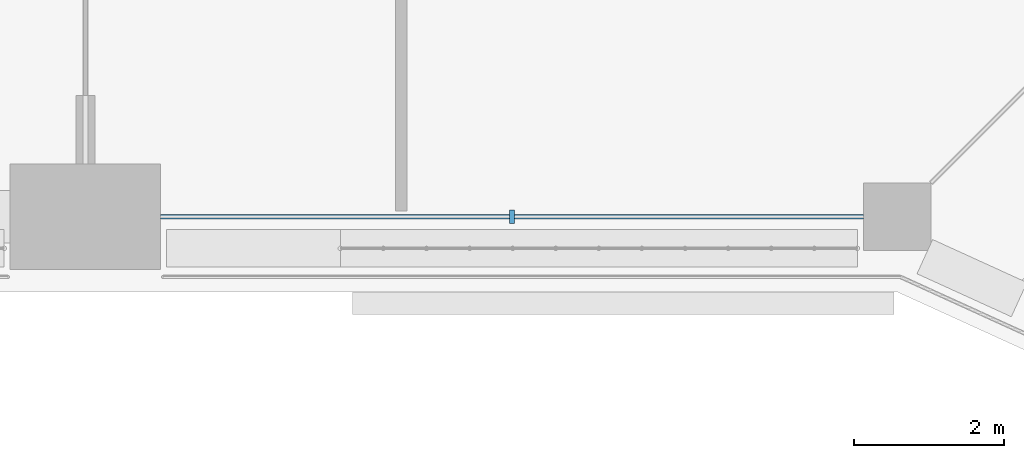
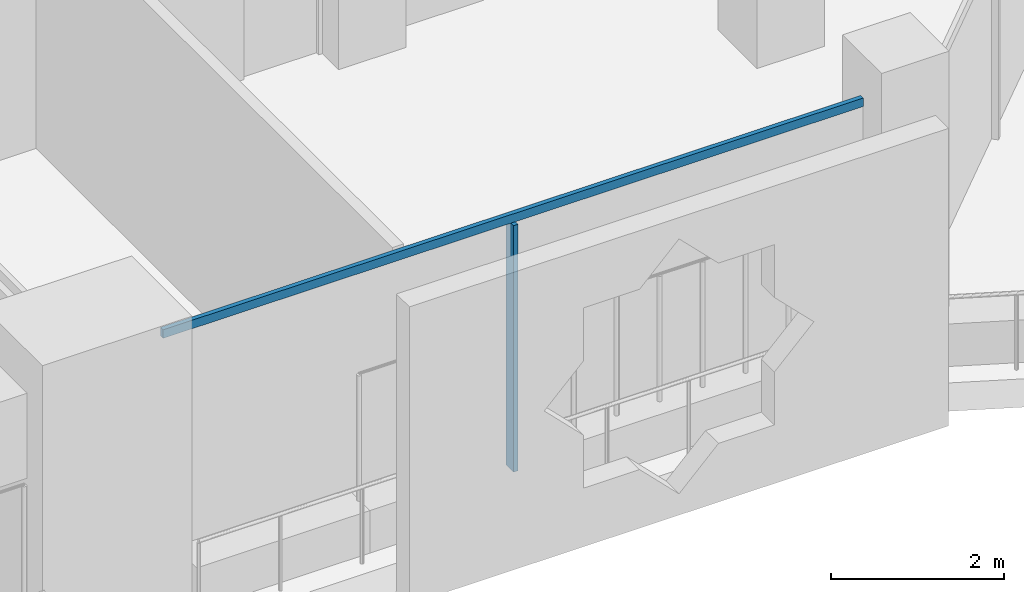
# One storey, part 5 of 24: 2 members, 1 element without a shape of its own.
"""IFC4 building model written with IfcOpenShell, lengths in metres."""

from ifc_helpers import new_model, si_unit, direction, frame, origin, origin_2d, place, context, subcontext, project, spatial, rectangle, extrude, material, layer, layer_set, material_profile, profile_set, type_object, element, aggregate, save


model = new_model("IFC4")

# Units and contexts
model_context = context("Model", 3, precision=1e-05, world=origin(), true_north=direction((0.0, 1.0)))
body_context = subcontext(model_context, "Body", "Model", "MODEL_VIEW")
ifc_project = project(units=[si_unit("LENGTHUNIT", "METRE"), si_unit("AREAUNIT", "SQUARE_METRE"), si_unit("VOLUMEUNIT", "CUBIC_METRE"), si_unit("PLANEANGLEUNIT", "RADIAN"), si_unit("MASSUNIT", "GRAM", prefix="KILO")], contexts=[model_context])

# Site, building, storey
site_placement = place(None, origin())
site = spatial("IfcSite", under=ifc_project, at=site_placement, CompositionType="ELEMENT")
building_placement = place(site_placement, origin())
building = spatial("IfcBuilding", under=site, at=building_placement, Name="Kawkab Arch Medical Tower", CompositionType="ELEMENT")
storey_placement = place(building_placement, frame((0.0, 0.0, 218.0)))
storey = spatial("IfcBuildingStorey", under=building, at=storey_placement, Name="L50", CompositionType="ELEMENT", Elevation=218.0)

# Curtain wall, members
ifc_material_1 = material(Name="Bronze anodised aluminium curtain wall frame", Category="aluminium")
ifc_layer = layer(ifc_material_1, 0.159912109375)
ifc_layer_set = layer_set([ifc_layer], Name="Bronze anodised aluminium curtain wall frame")
curtain_wall_type = type_object("IfcCurtainWallType", Name="CW1 ward curtain wall", PredefinedType="NOTDEFINED", material=ifc_layer_set)
curtain_wall_placement = place(storey_placement, origin())
curtain_wall = element("IfcCurtainWall", 1, at=curtain_wall_placement, inside=storey, type_object=curtain_wall_type, Name="CW1 Ward curtain wall R05", PredefinedType="NOTDEFINED")
ifc_material_2 = material(Name="Bronze anodised aluminium curtain wall frame", Category="aluminium")
ifc_material_profile_1 = material_profile(ifc_material_2, rectangle(XDim=0.179931640625, YDim=0.06005859375, at=origin_2d()), Name="AL 60x180")
ifc_profile_set_1 = profile_set([ifc_material_profile_1], Name="Bronze anodised aluminium curtain wall frame")
member_type_1 = type_object("IfcMemberType", Name="CW1 mullion 60 x 180", PredefinedType="MULLION", material=ifc_profile_set_1)
member_1_placement = place(storey_placement, frame((56.074951171875, -25.199951171875, 0.0), z_axis=(0.0, 0.0, 1.0), x_axis=(0.0, 1.0, 0.0)))
member_1 = element("IfcMember", 2, at=member_1_placement, type_object=member_type_1, Name="CW1 mullion 1.1", PredefinedType="MULLION", context=body_context, shape_type="SweptSolid", body=[
    extrude(rectangle(XDim=0.179931640625, YDim=0.06005859375, at=origin_2d()), origin(), (0.0, 0.0, 1.0), 3.47998046875),
])
ifc_material_3 = material(Name="Bronze anodised aluminium curtain wall frame", Category="aluminium")
ifc_material_profile_2 = material_profile(ifc_material_3, rectangle(XDim=0.06005859375, YDim=0.1201171875, at=origin_2d()), Name="AL 60x120")
ifc_profile_set_2 = profile_set([ifc_material_profile_2], Name="Bronze anodised aluminium curtain wall frame")
member_type_2 = type_object("IfcMemberType", Name="CW1 transom 120 x 60", PredefinedType="USERDEFINED", material=ifc_profile_set_2)
member_2_placement = place(storey_placement, frame((51.39990234375, -25.199951171875, 3.5400390625), z_axis=(1.0, 0.0, 0.0), x_axis=(0.0, 1.0, 0.0)))
member_2 = element("IfcMember", 3, at=member_2_placement, type_object=member_type_2, Name="CW1 transom 1", ObjectType="TRANSOM", PredefinedType="USERDEFINED", context=body_context, shape_type="SweptSolid", body=[
    extrude(rectangle(XDim=0.06005859375, YDim=0.1201171875, at=origin_2d()), origin(), (0.0, 0.0, 1.0), 9.35009765625),
])
aggregate(curtain_wall, [member_2, member_1])

save(model, "model.ifc")
